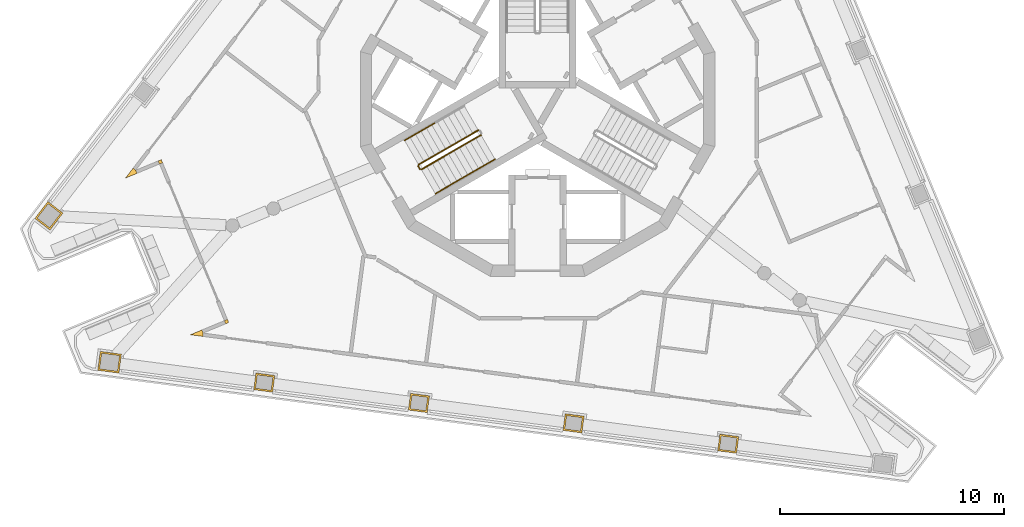
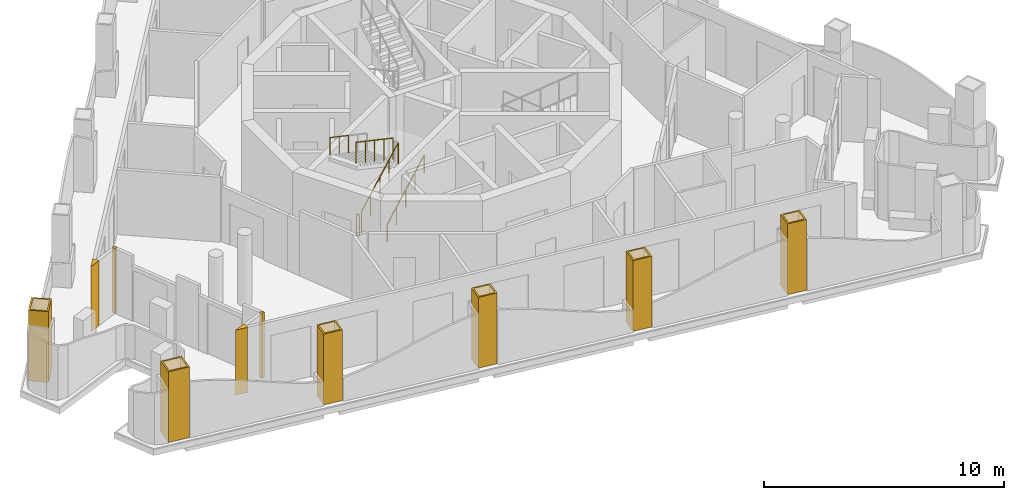
# One storey, part 7 of 12: 10 coverings, 6 railings.
"""IFC4 building model written with IfcOpenShell, lengths in metres."""

from ifc_helpers import new_model, si_unit, direction, frame, origin, origin_2d, place, context, subcontext, project, spatial, polyline, circle, outline, extrude, material, layer, layer_set, type_object, element, save


model = new_model("IFC4")

# Units and contexts
model_context = context("Model", 3, precision=1e-05, world=origin(), true_north=direction((0.0, 1.0)))
body_context = subcontext(model_context, "Body", "Model", "MODEL_VIEW")
ifc_project = project(units=[si_unit("LENGTHUNIT", "METRE"), si_unit("AREAUNIT", "SQUARE_METRE"), si_unit("VOLUMEUNIT", "CUBIC_METRE"), si_unit("PLANEANGLEUNIT", "RADIAN"), si_unit("MASSUNIT", "GRAM", prefix="KILO")], contexts=[model_context])

# Site, building, storey
site_placement = place(None, origin())
site = spatial("IfcSite", under=ifc_project, at=site_placement, CompositionType="ELEMENT")
building_placement = place(site_placement, origin())
building = spatial("IfcBuilding", under=site, at=building_placement, Name="Trine Commons Tower", CompositionType="ELEMENT")
storey_placement = place(building_placement, frame((0.0, 0.0, 289.800048828125)))
storey = spatial("IfcBuildingStorey", under=building, at=storey_placement, Name="L76", CompositionType="ELEMENT", Elevation=289.800048828125)

# Coverings
ifc_material_1 = material(Name="Aluminium-framed insulated wall panel", Category="aluminium")
ifc_layer_1 = layer(ifc_material_1, 0.14990234375)
ifc_layer_set_1 = layer_set([ifc_layer_1], Name="Aluminium-framed insulated wall panel")
covering_type_1 = type_object("IfcCoveringType", Name="Glazing corner post, aluminium", PredefinedType="CLADDING", material=ifc_layer_set_1)
covering_1_placement = place(storey_placement, origin())
element("IfcCovering", 1, at=covering_1_placement, inside=storey, type_object=covering_type_1, Name="Glazing corner post 8-01", PredefinedType="CLADDING", context=body_context, shape_type="SweptSolid", body=[
    extrude(outline(polyline([(62.0380859375, 59.324462890625), (61.919189453125, 59.416015625), (61.578369140625, 58.9716796875), (62.095458984375, 59.18603515625), (62.0380859375, 59.324462890625), (62.0380859375, 59.324462890625)])), origin(), (0.0, 0.0, 1.0), 3.300048828125),
])
covering_2_placement = place(storey_placement, origin())
element("IfcCovering", 2, at=covering_2_placement, inside=storey, type_object=covering_type_1, Name="Glazing corner post 8-10", PredefinedType="CLADDING", context=body_context, shape_type="SweptSolid", body=[
    extrude(outline(polyline([(65.033935546875, 51.895751953125), (65.0537109375, 52.04443359375), (64.99609375, 52.18310546875), (64.47900390625, 51.96875), (65.033935546875, 51.895751953125)])), origin(), (0.0, 0.0, 1.0), 3.300048828125),
])
covering_3_placement = place(storey_placement, origin())
element("IfcCovering", 3, at=covering_3_placement, inside=storey, type_object=covering_type_1, Name="Glazing corner post 8-11", PredefinedType="CLADDING", context=body_context, shape_type="SweptSolid", body=[
    extrude(outline(polyline([(66.056640625, 52.4599609375), (66.1953125, 52.517333984375), (66.137939453125, 52.65576171875), (65.999267578125, 52.598388671875), (66.056640625, 52.4599609375)])), origin(), (0.0, 0.0, 1.0), 3.300048828125),
])
covering_4_placement = place(storey_placement, origin())
element("IfcCovering", 4, at=covering_4_placement, inside=storey, type_object=covering_type_1, Name="Glazing corner post 8-12", PredefinedType="CLADDING", context=body_context, shape_type="SweptSolid", body=[
    extrude(outline(polyline([(63.041015625, 59.739990234375), (63.098388671875, 59.601318359375), (63.237060546875, 59.658935546875), (63.1796875, 59.79736328125), (63.041015625, 59.739990234375)])), origin(), (0.0, 0.0, 1.0), 3.300048828125),
])
ifc_material_2 = material(Name="Limestone, honed", Category="masonry")
ifc_layer_2 = layer(ifc_material_2, 0.074951171875)
ifc_layer_set_2 = layer_set([ifc_layer_2], Name="Limestone, honed")
covering_type_2 = type_object("IfcCoveringType", Name="Limestone column cladding 75", PredefinedType="CLADDING", material=ifc_layer_set_2)
covering_5_placement = place(storey_placement, origin())
element("IfcCovering", 5, at=covering_5_placement, inside=storey, type_object=covering_type_2, Name="Limestone pier cladding 8-02", PredefinedType="CLADDING", context=body_context, shape_type="SweptSolid", body=[
    extrude(outline(polyline([(88.1494140625, 47.526123046875), (88.051513671875, 46.78271484375), (88.89404296875, 46.671630859375), (88.991943359375, 47.415283203125), (88.1494140625, 47.526123046875)]), holes=[polyline([(88.2138671875, 47.44189453125), (88.135498046875, 46.84716796875), (88.82958984375, 46.755859375), (88.907958984375, 47.3505859375), (88.2138671875, 47.44189453125)])]), origin(), (0.0, 0.0, 1.0), 3.599853515625),
])
covering_6_placement = place(storey_placement, origin())
element("IfcCovering", 6, at=covering_6_placement, inside=storey, type_object=covering_type_2, Name="Limestone pier cladding 8-03", PredefinedType="CLADDING", context=body_context, shape_type="SweptSolid", body=[
    extrude(outline(polyline([(81.236328125, 48.436279296875), (81.138427734375, 47.692626953125), (81.981201171875, 47.581787109375), (82.0791015625, 48.3251953125), (81.236328125, 48.436279296875)]), holes=[polyline([(81.30078125, 48.35205078125), (81.222412109375, 47.75732421875), (81.91650390625, 47.666015625), (81.994873046875, 48.2607421875), (81.30078125, 48.35205078125)])]), origin(), (0.0, 0.0, 1.0), 3.599853515625),
])
covering_7_placement = place(storey_placement, origin())
element("IfcCovering", 7, at=covering_7_placement, inside=storey, type_object=covering_type_2, Name="Limestone pier cladding 8-04", PredefinedType="CLADDING", context=body_context, shape_type="SweptSolid", body=[
    extrude(outline(polyline([(74.3232421875, 49.346435546875), (74.225341796875, 48.602783203125), (75.068115234375, 48.49169921875), (75.166015625, 49.2353515625), (74.3232421875, 49.346435546875)]), holes=[polyline([(74.3876953125, 49.26220703125), (74.309326171875, 48.66748046875), (75.00341796875, 48.575927734375), (75.081787109375, 49.1708984375), (74.3876953125, 49.26220703125)])]), origin(), (0.0, 0.0, 1.0), 3.599853515625),
])
covering_8_placement = place(storey_placement, origin())
element("IfcCovering", 8, at=covering_8_placement, inside=storey, type_object=covering_type_2, Name="Limestone pier cladding 8-05", PredefinedType="CLADDING", context=body_context, shape_type="SweptSolid", body=[
    extrude(outline(polyline([(67.41015625, 50.256591796875), (67.312255859375, 49.512939453125), (68.15478515625, 49.40185546875), (68.252685546875, 50.1455078125), (67.41015625, 50.256591796875)]), holes=[polyline([(67.474609375, 50.17236328125), (67.396240234375, 49.577392578125), (68.09033203125, 49.486083984375), (68.168701171875, 50.080810546875), (67.474609375, 50.17236328125)])]), origin(), (0.0, 0.0, 1.0), 3.599853515625),
])
covering_9_placement = place(storey_placement, origin())
element("IfcCovering", 9, at=covering_9_placement, inside=storey, type_object=covering_type_2, Name="Limestone pier cladding 8-06", PredefinedType="CLADDING", context=body_context, shape_type="SweptSolid", body=[
    extrude(outline(polyline([(60.4541015625, 51.22265625), (60.343017578125, 50.3798828125), (61.284912109375, 50.255859375), (61.39599609375, 51.0986328125), (60.4541015625, 51.22265625)]), holes=[polyline([(60.5185546875, 51.138427734375), (60.42724609375, 50.444580078125), (61.220458984375, 50.340087890625), (61.311767578125, 51.0341796875), (60.5185546875, 51.138427734375)])]), origin(), (0.0, 0.0, 1.0), 3.599853515625),
])
covering_10_placement = place(storey_placement, origin())
element("IfcCovering", 10, at=covering_10_placement, inside=storey, type_object=covering_type_2, Name="Limestone pier cladding 8-07", PredefinedType="CLADDING", context=body_context, shape_type="SweptSolid", body=[
    extrude(outline(polyline([(58.782958984375, 57.40673828125), (58.108642578125, 57.92431640625), (57.5302734375, 57.170654296875), (58.20458984375, 56.653076171875), (58.782958984375, 57.40673828125)]), holes=[polyline([(58.677734375, 57.39306640625), (58.122314453125, 57.819091796875), (57.635498046875, 57.184326171875), (58.19091796875, 56.75830078125), (58.677734375, 57.39306640625)])]), origin(), (0.0, 0.0, 1.0), 3.599853515625),
])

# Railings
ifc_material_3 = material(Name="Stainless steel balustrade", Category="steel")
railing_type_1 = type_object("IfcRailingType", Name="Stair guard, steel balustrade 1100", PredefinedType="GUARDRAIL", material=ifc_material_3)
railing_1_placement = place(storey_placement, frame((74.80517578125, 59.3564453125, 0.14990234375)))
element("IfcRailing", 11, at=railing_1_placement, inside=storey, type_object=railing_type_1, Name="L76 ST2D stair guard 1", PredefinedType="GUARDRAIL", context=body_context, shape_type="SweptSolid", body=[
    extrude(circle(Radius=0.02392578125, at=origin_2d()), frame((0.0, 0.0, 1.076171875), z_axis=(0.763379768245, 0.440728498818, 0.472239049384), x_axis=(-0.499992328818, 0.866029832698, 0.0)), (0.0, 0.0, 1.0), 3.494384765625),
    extrude(circle(Radius=0.02099609375, at=origin_2d()), origin(), (0.0, 0.0, 1.0), 1.052001953125),
    extrude(circle(Radius=0.02099609375, at=origin_2d()), frame((0.6669921875, 0.385009765625, 0.41259765625)), (0.0, 0.0, 1.0), 1.052001953125),
    extrude(circle(Radius=0.02099609375, at=origin_2d()), frame((1.333740234375, 0.77001953125, 0.8251953125)), (0.0, 0.0, 1.0), 1.052001953125),
    extrude(circle(Radius=0.02099609375, at=origin_2d()), frame((2.00048828125, 1.155029296875, 1.237548828125)), (0.0, 0.0, 1.0), 1.052001953125),
    extrude(circle(Radius=0.02099609375, at=origin_2d()), frame((2.66748046875, 1.5400390625, 1.650146484375)), (0.0, 0.0, 1.0), 1.052001953125),
])
railing_2_placement = place(storey_placement, frame((77.34765625, 61.113037109375, 1.949951171875)))
element("IfcRailing", 12, at=railing_2_placement, inside=storey, type_object=railing_type_1, Name="L76 ST2D stair guard 3", PredefinedType="GUARDRAIL", context=body_context, shape_type="SweptSolid", body=[
    extrude(circle(Radius=0.02392578125, at=origin_2d()), frame((0.0, 0.0, 1.076171875), z_axis=(-0.76340495495, -0.440743040072, 0.472184759798), x_axis=(0.499992328818, -0.866029832698, 0.0)), (0.0, 0.0, 1.0), 3.494140625),
    extrude(circle(Radius=0.02099609375, at=origin_2d()), origin(), (0.0, 0.0, 1.0), 1.052001953125),
    extrude(circle(Radius=0.02099609375, at=origin_2d()), frame((-0.6669921875, -0.385009765625, 0.41259765625)), (0.0, 0.0, 1.0), 1.052001953125),
    extrude(circle(Radius=0.02099609375, at=origin_2d()), frame((-1.333740234375, -0.77001953125, 0.824951171875)), (0.0, 0.0, 1.0), 1.052001953125),
    extrude(circle(Radius=0.02099609375, at=origin_2d()), frame((-2.00048828125, -1.155029296875, 1.2373046875)), (0.0, 0.0, 1.0), 1.052001953125),
    extrude(circle(Radius=0.02099609375, at=origin_2d()), frame((-2.66748046875, -1.5400390625, 1.64990234375)), (0.0, 0.0, 1.0), 1.052001953125),
])
railing_3_placement = place(storey_placement, frame((74.73681640625, 59.374755859375, 0.0)))
element("IfcRailing", 13, at=railing_3_placement, inside=storey, type_object=railing_type_1, Name="L76 ST2D stair guard 4", PredefinedType="GUARDRAIL", context=body_context, shape_type="SweptSolid", body=[
    extrude(circle(Radius=0.02392578125, at=origin_2d()), frame((0.0, 0.0, 1.076171875), z_axis=(-0.499816412211, 0.866131372301, 0.0), x_axis=(-0.866131372301, -0.499816412211, 0.0)), (0.0, 0.0, 1.0), 0.14990234375),
    extrude(circle(Radius=0.02099609375, at=origin_2d()), origin(), (0.0, 0.0, 1.0), 1.052001953125),
    extrude(circle(Radius=0.02099609375, at=origin_2d()), frame((-0.074951171875, 0.1298828125, 0.0)), (0.0, 0.0, 1.0), 1.052001953125),
])
ifc_material_4 = material(Name="Stainless steel handrail", Category="steel")
railing_type_2 = type_object("IfcRailingType", Name="Stair handrail, steel 900", PredefinedType="HANDRAIL", material=ifc_material_4)
railing_4_placement = place(storey_placement, frame((75.43017578125, 58.27392578125, 0.14990234375)))
element("IfcRailing", 14, at=railing_4_placement, inside=storey, type_object=railing_type_2, Name="L76 ST2D stair handrail 1", PredefinedType="HANDRAIL", context=body_context, shape_type="SweptSolid", body=[
    extrude(circle(Radius=0.02099609375, at=origin_2d()), frame((0.0, 0.0, 0.87890625), z_axis=(0.76340495495, 0.440743040072, 0.472184759798), x_axis=(-0.499992328818, 0.866029832698, 0.0)), (0.0, 0.0, 1.0), 1.7470703125),
    extrude(circle(Radius=0.01513671875, at=origin_2d()), origin(), (0.0, 0.0, 1.0), 0.85791015625),
    extrude(circle(Radius=0.01513671875, at=origin_2d()), frame((0.6669921875, 0.385009765625, 0.41259765625)), (0.0, 0.0, 1.0), 0.85791015625),
    extrude(circle(Radius=0.01513671875, at=origin_2d()), frame((1.333740234375, 0.77001953125, 0.824951171875)), (0.0, 0.0, 1.0), 0.85791015625),
])
railing_5_placement = place(storey_placement, frame((76.763916015625, 59.0439453125, 0.974853515625)))
element("IfcRailing", 15, at=railing_5_placement, inside=storey, type_object=railing_type_2, Name="L76 ST2D stair handrail 2", PredefinedType="HANDRAIL", context=body_context, shape_type="SweptSolid", body=[
    extrude(circle(Radius=0.02099609375, at=origin_2d()), frame((0.0, 0.0, 0.87890625), z_axis=(0.763354580307, 0.440713956853, 0.472293333596), x_axis=(-0.499992328818, 0.866029832698, 0.0)), (0.0, 0.0, 1.0), 1.747314453125),
    extrude(circle(Radius=0.01513671875, at=origin_2d()), origin(), (0.0, 0.0, 1.0), 0.85791015625),
    extrude(circle(Radius=0.01513671875, at=origin_2d()), frame((0.6669921875, 0.385009765625, 0.41259765625)), (0.0, 0.0, 1.0), 0.85791015625),
    extrude(circle(Radius=0.01513671875, at=origin_2d()), frame((1.333740234375, 0.77001953125, 0.8251953125)), (0.0, 0.0, 1.0), 0.85791015625),
])
railing_6_placement = place(storey_placement, frame((75.388916015625, 61.425537109375, 2.77490234375)))
element("IfcRailing", 16, at=railing_6_placement, inside=storey, type_object=railing_type_2, Name="L76 ST2D stair handrail 4", PredefinedType="HANDRAIL", context=body_context, shape_type="SweptSolid", body=[
    extrude(circle(Radius=0.02099609375, at=origin_2d()), frame((0.0, 0.0, 0.87890625), z_axis=(-0.76340495495, -0.440743040072, 0.472184759798), x_axis=(0.499992328818, -0.866029832698, 0.0)), (0.0, 0.0, 1.0), 1.7470703125),
    extrude(circle(Radius=0.01513671875, at=origin_2d()), origin(), (0.0, 0.0, 1.0), 0.85791015625),
    extrude(circle(Radius=0.01513671875, at=origin_2d()), frame((-0.6669921875, -0.385009765625, 0.41259765625)), (0.0, 0.0, 1.0), 0.85791015625),
    extrude(circle(Radius=0.01513671875, at=origin_2d()), frame((-1.333740234375, -0.77001953125, 0.824951171875)), (0.0, 0.0, 1.0), 0.85791015625),
])

save(model, "model.ifc")
